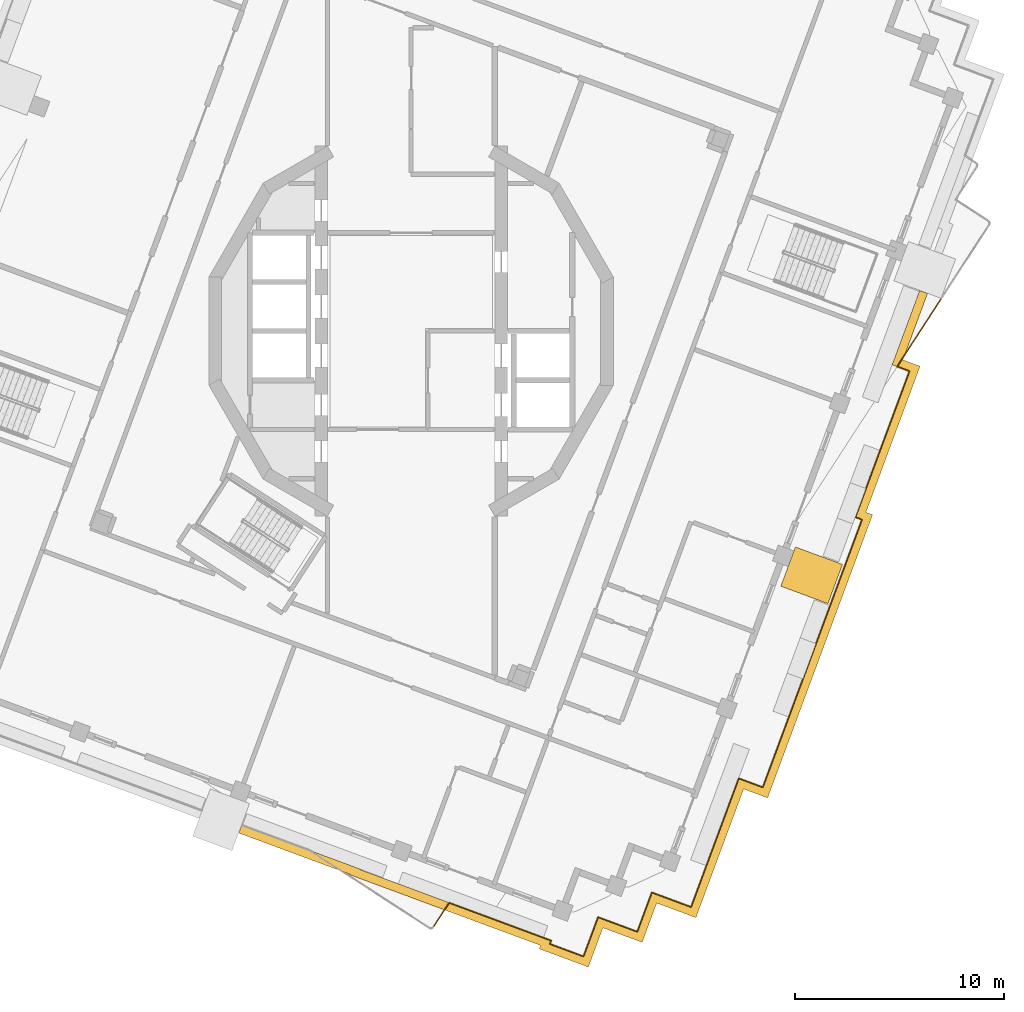
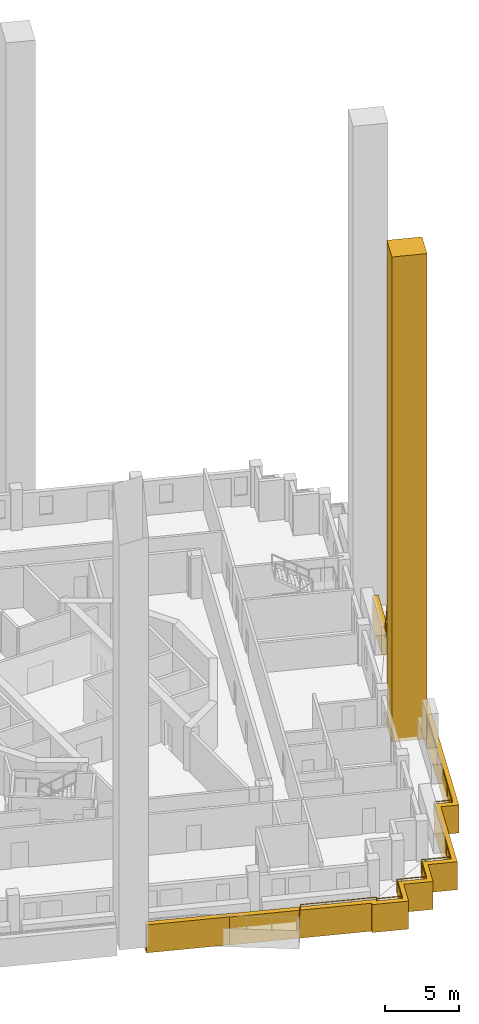
# One storey, part 15 of 20: 2 coverings, 1 railing.
"""IFC4 building model written with IfcOpenShell, lengths in metres."""

from ifc_helpers import new_model, si_unit, direction, frame, origin, origin_2d, place, context, subcontext, project, spatial, polyline, rectangle, circle, outline, extrude, material, type_object, element, save


model = new_model("IFC4")

# Units and contexts
model_context = context("Model", 3, precision=1e-05, world=origin(), true_north=direction((0.0, 1.0)))
body_context = subcontext(model_context, "Body", "Model", "MODEL_VIEW")
ifc_project = project(units=[si_unit("LENGTHUNIT", "METRE"), si_unit("AREAUNIT", "SQUARE_METRE"), si_unit("VOLUMEUNIT", "CUBIC_METRE"), si_unit("PLANEANGLEUNIT", "RADIAN"), si_unit("MASSUNIT", "GRAM", prefix="KILO")], contexts=[model_context])

# Site, building, storey
site_placement = place(None, origin())
site = spatial("IfcSite", under=ifc_project, at=site_placement, CompositionType="ELEMENT")
building_placement = place(site_placement, origin())
building = spatial("IfcBuilding", under=site, at=building_placement, Name="Cantera Rosa Tower", CompositionType="ELEMENT")
storey_placement = place(building_placement, frame((0.0, 0.0, 306.10009765625)))
storey = spatial("IfcBuildingStorey", under=building, at=storey_placement, Name="L67", CompositionType="ELEMENT", Elevation=306.10009765625)

# Railing
ifc_material_1 = material(Name="Stainless steel and laminated glass", Category="steel")
railing_type = type_object("IfcRailingType", Name="GUARD 1100", PredefinedType="BALUSTRADE", material=ifc_material_1)
railing_placement = place(storey_placement, frame((25.3232421875, 1.53857421875, 0.0)))
element("IfcRailing", 1, at=railing_placement, inside=storey, type_object=railing_type, Name="GUARD L67-5", PredefinedType="BALUSTRADE", context=body_context, shape_type="SweptSolid", body=[
    extrude(circle(Radius=0.030029296875, at=origin_2d()), frame((0.0, 0.0, 1.070068359375), z_axis=(-0.544599084663, -0.838696510655, 0.0), x_axis=(0.838696510655, -0.544599084663, 0.0)), (0.0, 0.0, 1.0), 3.8583984375),
    extrude(circle(Radius=0.030029296875, at=origin_2d()), frame((-2.101318359375, -3.236083984375, 1.070068359375), z_axis=(0.937739302439, -0.347339892124, 0.0), x_axis=(0.347339892124, 0.937739302439, 0.0)), (0.0, 0.0, 1.0), 0.622802734375),
    extrude(circle(Radius=0.030029296875, at=origin_2d()), frame((-1.517333984375, -3.452392578125, 1.070068359375), z_axis=(-0.347475671947, -0.937688998232, 0.0), x_axis=(0.937688998232, -0.347475671947, 0.0)), (0.0, 0.0, 1.0), 7.44287109375),
    extrude(circle(Radius=0.030029296875, at=origin_2d()), frame((-4.103515625, -10.431396484375, 1.070068359375), z_axis=(0.937661389353, -0.347550167482, 0.0), x_axis=(0.347550167482, 0.937661389353, 0.0)), (0.0, 0.0, 1.0), 0.337158203125),
    extrude(circle(Radius=0.030029296875, at=origin_2d()), frame((-3.787353515625, -10.548583984375, 1.070068359375), z_axis=(-0.347469536393, -0.937691271837, 0.0), x_axis=(0.937691271837, -0.347469536393, 0.0)), (0.0, 0.0, 1.0), 13.62939453125),
    extrude(circle(Radius=0.030029296875, at=origin_2d()), frame((-8.523193359375, -23.328857421875, 1.070068359375), z_axis=(-0.937722312445, 0.34738575783, 0.0), x_axis=(-0.34738575783, -0.937722312445, 0.0)), (0.0, 0.0, 1.0), 1.224853515625),
    extrude(circle(Radius=0.030029296875, at=origin_2d()), frame((-9.671875, -22.9033203125, 1.070068359375), z_axis=(-0.347478129695, -0.93768808747, 0.0), x_axis=(0.93768808747, -0.347478129695, 0.0)), (0.0, 0.0, 1.0), 4.85498046875),
    extrude(circle(Radius=0.030029296875, at=origin_2d()), frame((-11.35888671875, -27.455810546875, 1.070068359375), z_axis=(-0.347501421626, -0.937679455874, 0.0), x_axis=(0.937679455874, -0.347501421626, 0.0)), (0.0, 0.0, 1.0), 1.7001953125),
    extrude(circle(Radius=0.030029296875, at=origin_2d()), frame((-11.94970703125, -29.050048828125, 1.070068359375), z_axis=(-0.93766211216, 0.347548217403, 0.0), x_axis=(-0.347548217403, -0.93766211216, 0.0)), (0.0, 0.0, 1.0), 1.699951171875),
    extrude(circle(Radius=0.030029296875, at=origin_2d()), frame((-13.543701171875, -28.459228515625, 1.070068359375), z_axis=(-0.937660365215, 0.347552930509, 0.0), x_axis=(-0.347552930509, -0.937660365215, 0.0)), (0.0, 0.0, 1.0), 0.300048828125),
    extrude(circle(Radius=0.030029296875, at=origin_2d()), frame((-13.824951171875, -28.35498046875, 1.070068359375), z_axis=(-0.347552930509, -0.937660365215, 0.0), x_axis=(0.937660365215, -0.347552930509, 0.0)), (0.0, 0.0, 1.0), 0.300048828125),
    extrude(circle(Radius=0.030029296875, at=origin_2d()), frame((-13.92919921875, -28.63623046875, 1.070068359375), z_axis=(-0.347501421626, -0.937679455874, 0.0), x_axis=(0.937679455874, -0.347501421626, 0.0)), (0.0, 0.0, 1.0), 1.7001953125),
    extrude(circle(Radius=0.030029296875, at=origin_2d()), frame((-14.52001953125, -30.23046875, 1.070068359375), z_axis=(-0.93766211216, 0.347548217403, 0.0), x_axis=(-0.347548217403, -0.93766211216, 0.0)), (0.0, 0.0, 1.0), 1.699951171875),
    extrude(circle(Radius=0.030029296875, at=origin_2d()), frame((-16.114013671875, -29.6396484375, 1.070068359375), z_axis=(-0.937660365215, 0.347552930509, 0.0), x_axis=(-0.347552930509, -0.937660365215, 0.0)), (0.0, 0.0, 1.0), 0.300048828125),
    extrude(circle(Radius=0.030029296875, at=origin_2d()), frame((-16.395263671875, -29.535400390625, 1.070068359375), z_axis=(-0.347509146147, -0.937676593151, 0.0), x_axis=(0.937676593151, -0.347509146147, 0.0)), (0.0, 0.0, 1.0), 2.000244140625),
    extrude(circle(Radius=0.030029296875, at=origin_2d()), frame((-17.09033203125, -31.410888671875, 1.070068359375), z_axis=(-0.93766211216, 0.347548217403, 0.0), x_axis=(-0.347548217403, -0.93766211216, 0.0)), (0.0, 0.0, 1.0), 1.699951171875),
    extrude(circle(Radius=0.030029296875, at=origin_2d()), frame((-18.684326171875, -30.820068359375, 1.070068359375), z_axis=(0.346946854775, 0.937884790346, 0.0), x_axis=(-0.937884790346, 0.346946854775, 0.0)), (0.0, 0.0, 1.0), 0.173095703125),
    extrude(circle(Radius=0.030029296875, at=origin_2d()), frame((-18.624267578125, -30.65771484375, 1.070068359375), z_axis=(-0.937687063636, 0.347480892553, 0.0), x_axis=(-0.347480892553, -0.937687063636, 0.0)), (0.0, 0.0, 1.0), 5.2041015625),
    extrude(circle(Radius=0.030029296875, at=origin_2d()), frame((-23.504150390625, -28.849365234375, 1.070068359375), z_axis=(-0.544660153331, -0.838656853173, 0.0), x_axis=(0.838656853173, -0.544660153331, 0.0)), (0.0, 0.0, 1.0), 1.385986328125),
    extrude(circle(Radius=0.02490234375, at=origin_2d()), origin(), (0.0, 0.0, 1.0), 1.0400390625),
    extrude(circle(Radius=0.02490234375, at=origin_2d()), frame((-1.05078125, -1.6181640625, 0.0)), (0.0, 0.0, 1.0), 1.0400390625),
    extrude(circle(Radius=0.02490234375, at=origin_2d()), frame((-2.101318359375, -3.236083984375, 0.0)), (0.0, 0.0, 1.0), 1.0400390625),
    extrude(circle(Radius=0.02490234375, at=origin_2d()), frame((-1.517333984375, -3.452392578125, 0.0)), (0.0, 0.0, 1.0), 1.0400390625),
    extrude(circle(Radius=0.02490234375, at=origin_2d()), frame((-2.163818359375, -5.197265625, 0.0)), (0.0, 0.0, 1.0), 1.0400390625),
    extrude(circle(Radius=0.02490234375, at=origin_2d()), frame((-2.810546875, -6.94189453125, 0.0)), (0.0, 0.0, 1.0), 1.0400390625),
    extrude(circle(Radius=0.02490234375, at=origin_2d()), frame((-3.45703125, -8.6865234375, 0.0)), (0.0, 0.0, 1.0), 1.0400390625),
    extrude(circle(Radius=0.02490234375, at=origin_2d()), frame((-4.103515625, -10.431396484375, 0.0)), (0.0, 0.0, 1.0), 1.0400390625),
    extrude(circle(Radius=0.02490234375, at=origin_2d()), frame((-3.787353515625, -10.548583984375, 0.0)), (0.0, 0.0, 1.0), 1.0400390625),
    extrude(circle(Radius=0.02490234375, at=origin_2d()), frame((-4.4638671875, -12.374267578125, 0.0)), (0.0, 0.0, 1.0), 1.0400390625),
    extrude(circle(Radius=0.02490234375, at=origin_2d()), frame((-5.140380859375, -14.2001953125, 0.0)), (0.0, 0.0, 1.0), 1.0400390625),
    extrude(circle(Radius=0.02490234375, at=origin_2d()), frame((-5.81689453125, -16.02587890625, 0.0)), (0.0, 0.0, 1.0), 1.0400390625),
    extrude(circle(Radius=0.02490234375, at=origin_2d()), frame((-6.49365234375, -17.8515625, 0.0)), (0.0, 0.0, 1.0), 1.0400390625),
    extrude(circle(Radius=0.02490234375, at=origin_2d()), frame((-7.170166015625, -19.67724609375, 0.0)), (0.0, 0.0, 1.0), 1.0400390625),
    extrude(circle(Radius=0.02490234375, at=origin_2d()), frame((-7.8466796875, -21.503173828125, 0.0)), (0.0, 0.0, 1.0), 1.0400390625),
    extrude(circle(Radius=0.02490234375, at=origin_2d()), frame((-8.523193359375, -23.328857421875, 0.0)), (0.0, 0.0, 1.0), 1.0400390625),
    extrude(circle(Radius=0.02490234375, at=origin_2d()), frame((-9.671875, -22.9033203125, 0.0)), (0.0, 0.0, 1.0), 1.0400390625),
    extrude(circle(Radius=0.02490234375, at=origin_2d()), frame((-10.234130859375, -24.4208984375, 0.0)), (0.0, 0.0, 1.0), 1.0400390625),
    extrude(circle(Radius=0.02490234375, at=origin_2d()), frame((-10.796630859375, -25.938232421875, 0.0)), (0.0, 0.0, 1.0), 1.0400390625),
    extrude(circle(Radius=0.02490234375, at=origin_2d()), frame((-11.35888671875, -27.455810546875, 0.0)), (0.0, 0.0, 1.0), 1.0400390625),
    extrude(circle(Radius=0.02490234375, at=origin_2d()), frame((-11.94970703125, -29.050048828125, 0.0)), (0.0, 0.0, 1.0), 1.0400390625),
    extrude(circle(Radius=0.02490234375, at=origin_2d()), frame((-13.543701171875, -28.459228515625, 0.0)), (0.0, 0.0, 1.0), 1.0400390625),
    extrude(circle(Radius=0.02490234375, at=origin_2d()), frame((-13.824951171875, -28.35498046875, 0.0)), (0.0, 0.0, 1.0), 1.0400390625),
    extrude(circle(Radius=0.02490234375, at=origin_2d()), frame((-13.92919921875, -28.63623046875, 0.0)), (0.0, 0.0, 1.0), 1.0400390625),
    extrude(circle(Radius=0.02490234375, at=origin_2d()), frame((-14.52001953125, -30.23046875, 0.0)), (0.0, 0.0, 1.0), 1.0400390625),
    extrude(circle(Radius=0.02490234375, at=origin_2d()), frame((-16.114013671875, -29.6396484375, 0.0)), (0.0, 0.0, 1.0), 1.0400390625),
    extrude(circle(Radius=0.02490234375, at=origin_2d()), frame((-16.395263671875, -29.535400390625, 0.0)), (0.0, 0.0, 1.0), 1.0400390625),
    extrude(circle(Radius=0.02490234375, at=origin_2d()), frame((-17.09033203125, -31.410888671875, 0.0)), (0.0, 0.0, 1.0), 1.0400390625),
    extrude(circle(Radius=0.02490234375, at=origin_2d()), frame((-18.684326171875, -30.820068359375, 0.0)), (0.0, 0.0, 1.0), 1.0400390625),
    extrude(circle(Radius=0.02490234375, at=origin_2d()), frame((-18.624267578125, -30.65771484375, 0.0)), (0.0, 0.0, 1.0), 1.0400390625),
    extrude(circle(Radius=0.02490234375, at=origin_2d()), frame((-20.2509765625, -30.054931640625, 0.0)), (0.0, 0.0, 1.0), 1.0400390625),
    extrude(circle(Radius=0.02490234375, at=origin_2d()), frame((-21.87744140625, -29.4521484375, 0.0)), (0.0, 0.0, 1.0), 1.0400390625),
    extrude(circle(Radius=0.02490234375, at=origin_2d()), frame((-23.504150390625, -28.849365234375, 0.0)), (0.0, 0.0, 1.0), 1.0400390625),
    extrude(circle(Radius=0.02490234375, at=origin_2d()), frame((-24.259033203125, -30.01171875, 0.0)), (0.0, 0.0, 1.0), 1.0400390625),
])

# Coverings
ifc_material_2 = material(Name="Cantera stone", Category="masonry")
covering_type_1 = type_object("IfcCoveringType", Name="STONE FIN 2000x2400", PredefinedType="CLADDING", material=ifc_material_2)
covering_1_placement = place(storey_placement, frame((19.138427734375, -11.667236328125, -0.300048828125), z_axis=(0.0, 0.0, 1.0), x_axis=(0.347481234489, 0.937686936924, 0.0)))
element("IfcCovering", 2, at=covering_1_placement, inside=storey, type_object=covering_type_1, Name="STONE FIN FN-Z6-04", PredefinedType="CLADDING", context=body_context, shape_type="SweptSolid", body=[
    extrude(rectangle(XDim=2.0, YDim=2.39990234375, at=origin_2d()), origin(), (0.0, 0.0, 1.0), 39.89990234375),
])
ifc_material_3 = material(Name="Cantera stone", Category="masonry")
covering_type_2 = type_object("IfcCoveringType", Name="TRAY FASCIA 400", PredefinedType="CLADDING", material=ifc_material_3)
covering_2_placement = place(storey_placement, frame((0.0, 0.0, -1.400146484375)))
element("IfcCovering", 3, at=covering_2_placement, inside=storey, type_object=covering_type_2, Name="TRAY FASCIA L67-03", PredefinedType="CLADDING", context=body_context, shape_type="SweptSolid", body=[
    extrude(outline(polyline([(23.498046875, -1.373291015625), (24.320068359375, -1.677734375), (21.733642578125, -8.65673828125), (22.050048828125, -8.77392578125), (17.0361328125, -22.304443359375), (15.887451171875, -21.878662109375), (14.33935546875, -26.056396484375), (13.609619140625, -28.025390625), (11.734375, -27.33056640625), (11.039306640625, -29.205810546875), (9.1640625, -28.510986328125), (8.468994140625, -30.38623046875), (6.124755859375, -29.517578125), (6.18505859375, -29.355224609375), (-2.935791015625, -25.975341796875), (-2.926513671875, -25.9501953125), (-7.402099609375, -24.29150390625), (-8.236572265625, -23.982421875), (-8.09765625, -23.607177734375), (-7.26318359375, -23.91650390625), (-2.412353515625, -25.714111328125), (-2.421630859375, -25.7392578125), (6.698974609375, -29.119140625), (6.638916015625, -29.281494140625), (8.23291015625, -29.872314453125), (8.927978515625, -27.996826171875), (9.209228515625, -28.10107421875), (10.80322265625, -28.69189453125), (11.39404296875, -27.09765625), (11.498291015625, -26.81640625), (11.779541015625, -26.920654296875), (13.37353515625, -27.511474609375), (13.96435546875, -25.917236328125), (15.6513671875, -21.36474609375), (16.800048828125, -21.790283203125), (21.535888671875, -9.010009765625), (21.2197265625, -8.892822265625), (23.805908203125, -1.913818359375), (22.98388671875, -1.609375), (24.29833984375, 1.9375), (24.67333984375, 1.798583984375), (23.498046875, -1.373291015625)])), origin(), (0.0, 0.0, 1.0), 2.300048828125),
])

save(model, "model.ifc")
